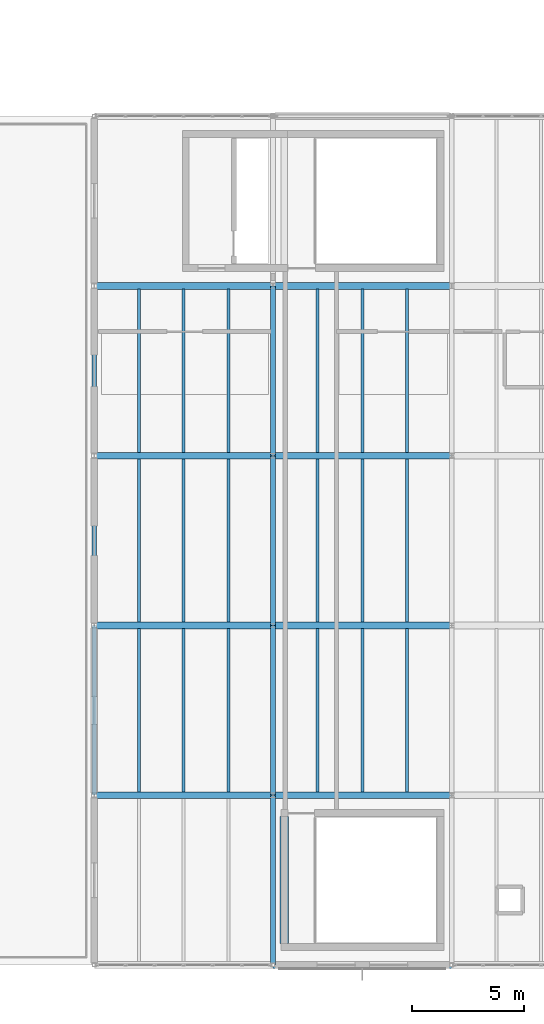
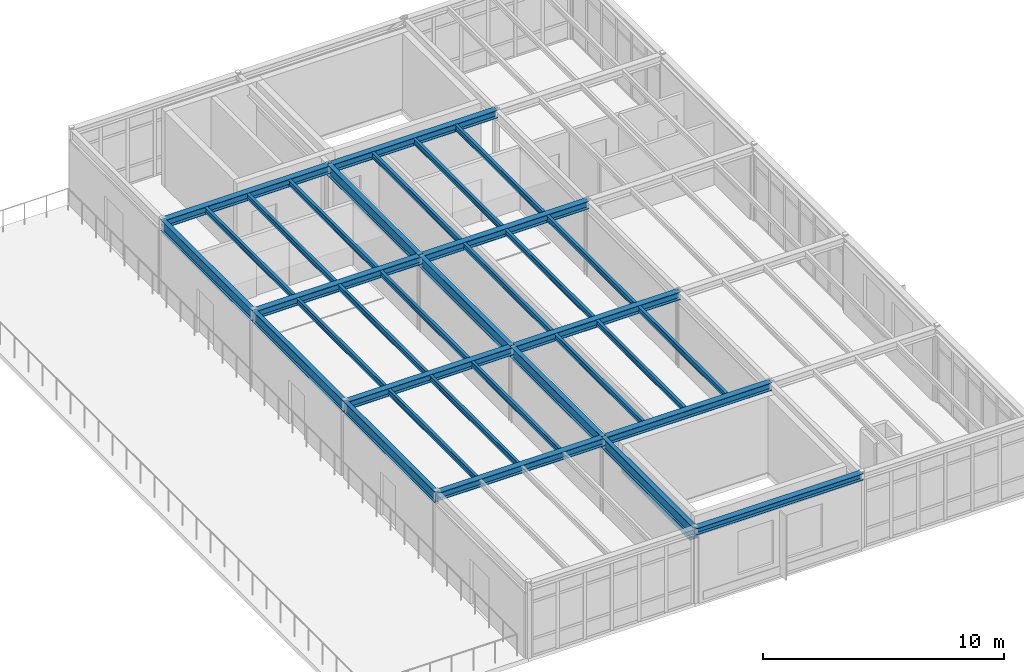
# One storey, part 30 of 65: 35 beams.
"""IFC4 building model written with IfcOpenShell, lengths in metres."""

from ifc_helpers import new_model, si_unit, direction, frame, origin, origin_2d, place, context, subcontext, project, spatial, rectangle, i_section, extrude, material, material_profile, profile_set, type_object, element, save


model = new_model("IFC4")

# Units and contexts
model_context = context("Model", 3, precision=1e-05, world=origin(), true_north=direction((0.0, 1.0)))
body_context = subcontext(model_context, "Body", "Model", "MODEL_VIEW")
ifc_project = project(units=[si_unit("LENGTHUNIT", "METRE"), si_unit("AREAUNIT", "SQUARE_METRE"), si_unit("VOLUMEUNIT", "CUBIC_METRE"), si_unit("PLANEANGLEUNIT", "RADIAN"), si_unit("MASSUNIT", "GRAM", prefix="KILO")], contexts=[model_context])

# Site, building, storey
site_placement = place(None, origin())
site = spatial("IfcSite", under=ifc_project, at=site_placement, CompositionType="ELEMENT")
building_placement = place(site_placement, origin())
building = spatial("IfcBuilding", under=site, at=building_placement, Name="Montecoro Central Library", CompositionType="ELEMENT")
storey_placement = place(building_placement, frame((0.0, 0.0, 17.340087890625)))
storey = spatial("IfcBuildingStorey", under=building, at=storey_placement, Name="L04", CompositionType="ELEMENT", Elevation=17.340087890625)

# Beams
ifc_material_1 = material(Name="Steel S355", Category="steel")
ifc_material_profile_1 = material_profile(ifc_material_1, i_section(OverallWidth=0.300048828125, OverallDepth=0.389892578125, WebThickness=0.010986328125, FlangeThickness=0.01904296875, at=origin_2d()), Name="HEA 400")
ifc_profile_set_1 = profile_set([ifc_material_profile_1], Name="Steel S355")
beam_type_1 = type_object("IfcBeamType", Name="BM-G-HEA400", PredefinedType="USERDEFINED", material=ifc_profile_set_1)
for number, where, z_axis, x_axis, name in (
    (1, (149.0048828125, 12.60009765625, 3.6298828125), (1.0, 0.0, 0.0), (0.0, 1.0, 0.0), "V6-L04-BX-1920-B"),
    (2, (157.0048828125, 12.60009765625, 3.6298828125), (1.0, 0.0, 0.0), (0.0, 1.0, 0.0), "V6-L04-BX-2021-B"),
    (3, (149.0048828125, 20.199951171875, 3.6298828125), (1.0, 0.0, 0.0), (0.0, 1.0, 0.0), "V6-L04-BX-1920-C"),
    (4, (157.0048828125, 20.199951171875, 3.6298828125), (1.0, 0.0, 0.0), (0.0, 1.0, 0.0), "V6-L04-BX-2021-C"),
    (5, (149.0048828125, 27.800048828125, 3.6298828125), (1.0, 0.0, 0.0), (0.0, 1.0, 0.0), "V6-L04-BX-1920-D"),
    (6, (157.0048828125, 27.800048828125, 3.6298828125), (1.0, 0.0, 0.0), (0.0, 1.0, 0.0), "V6-L04-BX-2021-D"),
    (7, (149.0048828125, 35.39990234375, 3.6298828125), (1.0, 0.0, 0.0), (0.0, 1.0, 0.0), "V6-L04-BX-1920-E"),
    (8, (157.0048828125, 35.39990234375, 3.6298828125), (1.0, 0.0, 0.0), (0.0, 1.0, 0.0), "V6-L04-BX-2021-E"),
):
    element("IfcBeam", number, at=place(storey_placement, frame(where, z_axis=z_axis, x_axis=x_axis)), inside=storey, type_object=beam_type_1, Name=name, ObjectType="GIRDER", PredefinedType="USERDEFINED", context=body_context, shape_type="SweptSolid", body=[
        extrude(i_section(OverallWidth=0.300048828125, OverallDepth=0.389892578125, WebThickness=0.010986328125, FlangeThickness=0.01904296875, at=origin_2d()), origin(), (0.0, 0.0, 1.0), 7.990234375),
    ])
ifc_material_2 = material(Name="Steel S355J2", Category="steel")
ifc_material_profile_2 = material_profile(ifc_material_2, i_section(OverallWidth=0.2099609375, OverallDepth=0.550048828125, WebThickness=0.010986328125, FlangeThickness=0.01708984375, at=origin_2d()), Name="IPE 550")
ifc_profile_set_2 = profile_set([ifc_material_profile_2], Name="Steel S355J2")
beam_type_2 = type_object("IfcBeamType", Name="BM-G-IPE550", PredefinedType="USERDEFINED", material=ifc_profile_set_2)
beam_1_placement = place(storey_placement, frame((149.0, 12.60498046875, 3.5498046875), z_axis=(0.0, 1.0, 0.0), x_axis=(-1.0, 0.0, 0.0)))
element("IfcBeam", 9, at=beam_1_placement, inside=storey, type_object=beam_type_2, Name="V6-L04-BY-19-BC", ObjectType="GIRDER", PredefinedType="USERDEFINED", context=body_context, shape_type="SweptSolid", body=[
    extrude(i_section(OverallWidth=0.2099609375, OverallDepth=0.550048828125, WebThickness=0.010986328125, FlangeThickness=0.01708984375, at=origin_2d()), origin(), (0.0, 0.0, 1.0), 7.590087890625),
])
beam_2_placement = place(storey_placement, frame((149.0, 20.205078125, 3.5498046875), z_axis=(0.0, 1.0, 0.0), x_axis=(-1.0, 0.0, 0.0)))
element("IfcBeam", 10, at=beam_2_placement, inside=storey, type_object=beam_type_2, Name="V6-L04-BY-19-CD", ObjectType="GIRDER", PredefinedType="USERDEFINED", context=body_context, shape_type="SweptSolid", body=[
    extrude(i_section(OverallWidth=0.2099609375, OverallDepth=0.550048828125, WebThickness=0.010986328125, FlangeThickness=0.01708984375, at=origin_2d()), origin(), (0.0, 0.0, 1.0), 7.58984375),
])
for number, where, z_axis, x_axis, name in (
    (11, (149.0, 27.804931640625, 3.5498046875), (0.0, 1.0, 0.0), (-1.0, 0.0, 0.0), "V6-L04-BY-19-DE"),
    (12, (157.0, 5.0048828125, 3.5498046875), (0.0, 1.0, 0.0), (-1.0, 0.0, 0.0), "V6-L04-BY-20-AB"),
    (13, (157.0, 12.60498046875, 3.5498046875), (0.0, 1.0, 0.0), (-1.0, 0.0, 0.0), "V6-L04-BY-20-BC"),
):
    element("IfcBeam", number, at=place(storey_placement, frame(where, z_axis=z_axis, x_axis=x_axis)), inside=storey, type_object=beam_type_2, Name=name, ObjectType="GIRDER", PredefinedType="USERDEFINED", context=body_context, shape_type="SweptSolid", body=[
        extrude(i_section(OverallWidth=0.2099609375, OverallDepth=0.550048828125, WebThickness=0.010986328125, FlangeThickness=0.01708984375, at=origin_2d()), origin(), (0.0, 0.0, 1.0), 7.590087890625),
    ])
beam_3_placement = place(storey_placement, frame((157.0, 20.205078125, 3.5498046875), z_axis=(0.0, 1.0, 0.0), x_axis=(-1.0, 0.0, 0.0)))
element("IfcBeam", 14, at=beam_3_placement, inside=storey, type_object=beam_type_2, Name="V6-L04-BY-20-CD", ObjectType="GIRDER", PredefinedType="USERDEFINED", context=body_context, shape_type="SweptSolid", body=[
    extrude(i_section(OverallWidth=0.2099609375, OverallDepth=0.550048828125, WebThickness=0.010986328125, FlangeThickness=0.01708984375, at=origin_2d()), origin(), (0.0, 0.0, 1.0), 7.58984375),
])
beam_4_placement = place(storey_placement, frame((157.0, 27.804931640625, 3.5498046875), z_axis=(0.0, 1.0, 0.0), x_axis=(-1.0, 0.0, 0.0)))
element("IfcBeam", 15, at=beam_4_placement, inside=storey, type_object=beam_type_2, Name="V6-L04-BY-20-DE", ObjectType="GIRDER", PredefinedType="USERDEFINED", context=body_context, shape_type="SweptSolid", body=[
    extrude(i_section(OverallWidth=0.2099609375, OverallDepth=0.550048828125, WebThickness=0.010986328125, FlangeThickness=0.01708984375, at=origin_2d()), origin(), (0.0, 0.0, 1.0), 7.590087890625),
])
ifc_material_profile_3 = material_profile(ifc_material_1, i_section(OverallWidth=0.135009765625, OverallDepth=0.27001953125, WebThickness=0.006591796875, FlangeThickness=0.01025390625, at=origin_2d()), Name="IPE 270")
ifc_profile_set_3 = profile_set([ifc_material_profile_3], Name="Steel S355")
beam_type_3 = type_object("IfcBeamType", Name="BM-J-IPE270", PredefinedType="JOIST", material=ifc_profile_set_3)
for number, where, z_axis, x_axis, name in (
    (16, (151.0, 12.7470703125, 3.68994140625), (0.0, 1.0, 0.0), (-1.0, 0.0, 0.0), "V6-L04-JS-1920-BC-1"),
    (17, (153.0, 12.7470703125, 3.68994140625), (0.0, 1.0, 0.0), (-1.0, 0.0, 0.0), "V6-L04-JS-1920-BC-2"),
    (18, (155.0, 12.7470703125, 3.68994140625), (0.0, 1.0, 0.0), (-1.0, 0.0, 0.0), "V6-L04-JS-1920-BC-3"),
):
    element("IfcBeam", number, at=place(storey_placement, frame(where, z_axis=z_axis, x_axis=x_axis)), inside=storey, type_object=beam_type_3, Name=name, PredefinedType="JOIST", context=body_context, shape_type="SweptSolid", body=[
        extrude(i_section(OverallWidth=0.135009765625, OverallDepth=0.27001953125, WebThickness=0.006591796875, FlangeThickness=0.01025390625, at=origin_2d()), origin(), (0.0, 0.0, 1.0), 7.305908203125),
    ])
for number, where, z_axis, x_axis, name in (
    (19, (151.0, 20.346923828125, 3.68994140625), (0.0, 1.0, 0.0), (-1.0, 0.0, 0.0), "V6-L04-JS-1920-CD-1"),
    (20, (153.0, 20.346923828125, 3.68994140625), (0.0, 1.0, 0.0), (-1.0, 0.0, 0.0), "V6-L04-JS-1920-CD-2"),
    (21, (155.0, 20.346923828125, 3.68994140625), (0.0, 1.0, 0.0), (-1.0, 0.0, 0.0), "V6-L04-JS-1920-CD-3"),
):
    element("IfcBeam", number, at=place(storey_placement, frame(where, z_axis=z_axis, x_axis=x_axis)), inside=storey, type_object=beam_type_3, Name=name, PredefinedType="JOIST", context=body_context, shape_type="SweptSolid", body=[
        extrude(i_section(OverallWidth=0.135009765625, OverallDepth=0.27001953125, WebThickness=0.006591796875, FlangeThickness=0.01025390625, at=origin_2d()), origin(), (0.0, 0.0, 1.0), 7.30615234375),
    ])
for number, where, z_axis, x_axis, name in (
    (22, (151.0, 27.947021484375, 3.68994140625), (0.0, 1.0, 0.0), (-1.0, 0.0, 0.0), "V6-L04-JS-1920-DE-1"),
    (23, (153.0, 27.947021484375, 3.68994140625), (0.0, 1.0, 0.0), (-1.0, 0.0, 0.0), "V6-L04-JS-1920-DE-2"),
    (24, (155.0, 27.947021484375, 3.68994140625), (0.0, 1.0, 0.0), (-1.0, 0.0, 0.0), "V6-L04-JS-1920-DE-3"),
    (25, (159.0, 12.7470703125, 3.68994140625), (0.0, 1.0, 0.0), (-1.0, 0.0, 0.0), "V6-L04-JS-2021-BC-1"),
    (26, (161.0, 12.7470703125, 3.68994140625), (0.0, 1.0, 0.0), (-1.0, 0.0, 0.0), "V6-L04-JS-2021-BC-2"),
    (27, (163.0, 12.7470703125, 3.68994140625), (0.0, 1.0, 0.0), (-1.0, 0.0, 0.0), "V6-L04-JS-2021-BC-3"),
):
    element("IfcBeam", number, at=place(storey_placement, frame(where, z_axis=z_axis, x_axis=x_axis)), inside=storey, type_object=beam_type_3, Name=name, PredefinedType="JOIST", context=body_context, shape_type="SweptSolid", body=[
        extrude(i_section(OverallWidth=0.135009765625, OverallDepth=0.27001953125, WebThickness=0.006591796875, FlangeThickness=0.01025390625, at=origin_2d()), origin(), (0.0, 0.0, 1.0), 7.305908203125),
    ])
for number, where, z_axis, x_axis, name in (
    (28, (159.0, 20.346923828125, 3.68994140625), (0.0, 1.0, 0.0), (-1.0, 0.0, 0.0), "V6-L04-JS-2021-CD-1"),
    (29, (161.0, 20.346923828125, 3.68994140625), (0.0, 1.0, 0.0), (-1.0, 0.0, 0.0), "V6-L04-JS-2021-CD-2"),
    (30, (163.0, 20.346923828125, 3.68994140625), (0.0, 1.0, 0.0), (-1.0, 0.0, 0.0), "V6-L04-JS-2021-CD-3"),
):
    element("IfcBeam", number, at=place(storey_placement, frame(where, z_axis=z_axis, x_axis=x_axis)), inside=storey, type_object=beam_type_3, Name=name, PredefinedType="JOIST", context=body_context, shape_type="SweptSolid", body=[
        extrude(i_section(OverallWidth=0.135009765625, OverallDepth=0.27001953125, WebThickness=0.006591796875, FlangeThickness=0.01025390625, at=origin_2d()), origin(), (0.0, 0.0, 1.0), 7.30615234375),
    ])
for number, where, z_axis, x_axis, name in (
    (31, (159.0, 27.947021484375, 3.68994140625), (0.0, 1.0, 0.0), (-1.0, 0.0, 0.0), "V6-L04-JS-2021-DE-1"),
    (32, (161.0, 27.947021484375, 3.68994140625), (0.0, 1.0, 0.0), (-1.0, 0.0, 0.0), "V6-L04-JS-2021-DE-2"),
    (33, (163.0, 27.947021484375, 3.68994140625), (0.0, 1.0, 0.0), (-1.0, 0.0, 0.0), "V6-L04-JS-2021-DE-3"),
):
    element("IfcBeam", number, at=place(storey_placement, frame(where, z_axis=z_axis, x_axis=x_axis)), inside=storey, type_object=beam_type_3, Name=name, PredefinedType="JOIST", context=body_context, shape_type="SweptSolid", body=[
        extrude(i_section(OverallWidth=0.135009765625, OverallDepth=0.27001953125, WebThickness=0.006591796875, FlangeThickness=0.01025390625, at=origin_2d()), origin(), (0.0, 0.0, 1.0), 7.305908203125),
    ])
ifc_material_3 = material(Name="Concrete C35/45", Category="concrete")
ifc_material_profile_4 = material_profile(ifc_material_3, rectangle(XDim=0.3798828125, YDim=0.6201171875, at=origin_2d()), Name="RC LNT 620x380")
ifc_profile_set_4 = profile_set([ifc_material_profile_4], Name="Concrete C35/45")
beam_type_4 = type_object("IfcBeamType", Name="BM-LN-RC05", PredefinedType="LINTEL", material=ifc_profile_set_4)
beam_5_placement = place(storey_placement, frame((157.5, 5.949951171875, 2.760009765625), z_axis=(0.0, 1.0, 0.0), x_axis=(-1.0, 0.0, 0.0)))
element("IfcBeam", 34, at=beam_5_placement, inside=storey, type_object=beam_type_4, Name="C10-L04-LNT", PredefinedType="LINTEL", context=body_context, shape_type="SweptSolid", body=[
    extrude(rectangle(XDim=0.3798828125, YDim=0.6201171875, at=origin_2d()), origin(), (0.0, 0.0, 1.0), 5.699951171875),
])
ifc_material_profile_5 = material_profile(ifc_material_1, i_section(OverallWidth=0.300048828125, OverallDepth=0.330078125, WebThickness=0.009521484375, FlangeThickness=0.0166015625, at=origin_2d()), Name="HEA 340")
ifc_profile_set_5 = profile_set([ifc_material_profile_5], Name="Steel S355")
beam_type_5 = type_object("IfcBeamType", Name="BM-SP-HEA340", PredefinedType="SPANDREL", material=ifc_profile_set_5)
beam_6_placement = place(storey_placement, frame((157.0048828125, 5.0, 3.659912109375), z_axis=(1.0, 0.0, 0.0), x_axis=(0.0, 1.0, 0.0)))
element("IfcBeam", 35, at=beam_6_placement, inside=storey, type_object=beam_type_5, Name="V6-L04-BX-2021-A", PredefinedType="SPANDREL", context=body_context, shape_type="SweptSolid", body=[
    extrude(i_section(OverallWidth=0.300048828125, OverallDepth=0.330078125, WebThickness=0.009521484375, FlangeThickness=0.0166015625, at=origin_2d()), origin(), (0.0, 0.0, 1.0), 7.990234375),
])

save(model, "model.ifc")
